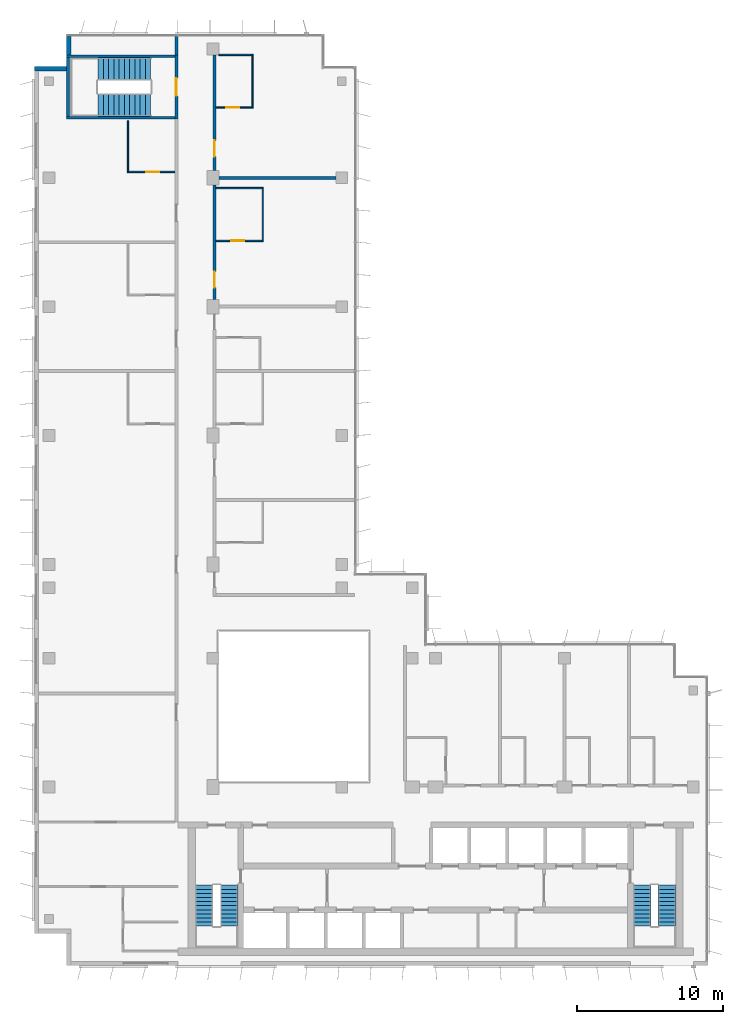
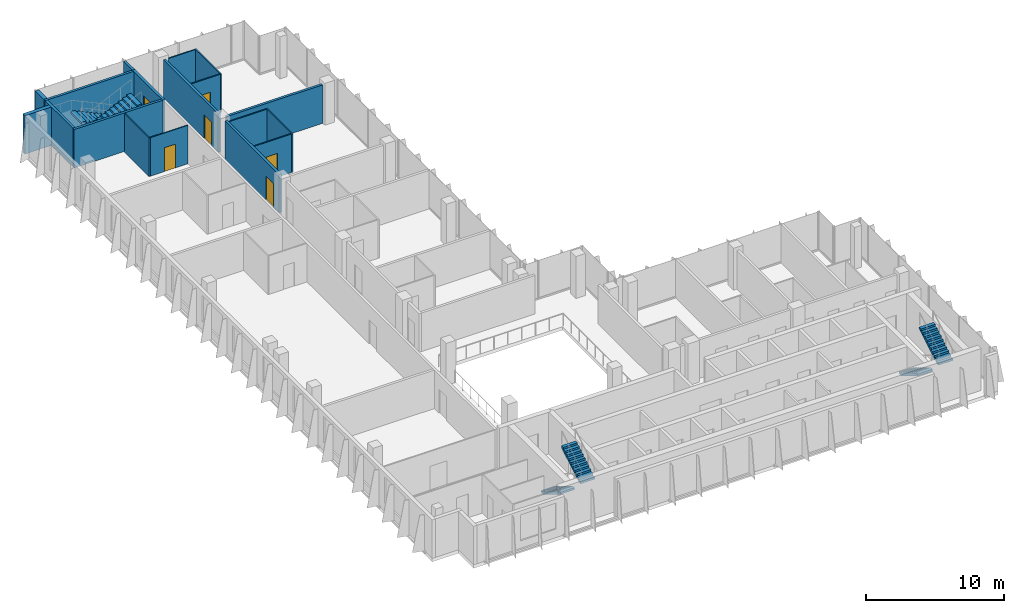
# One storey, part 12 of 15: 18 walls, 6 doors, 6 stair flights, 6 openings, 3 elements without a shape of their own.
"""IFC4 building model written with IfcOpenShell, lengths in metres."""

from ifc_helpers import new_model, si_unit, direction, frame, frame_2d, origin, place, context, subcontext, project, spatial, polyline, rectangle, outline, extrude, material, layer, layer_set, type_object, element, fill, aggregate, save


model = new_model("IFC4")

# Units and contexts
model_context = context("Model", 3, precision=1e-05, world=origin(), true_north=direction((0.0, 1.0)))
body_context = subcontext(model_context, "Body", "Model", "MODEL_VIEW")
ifc_project = project(units=[si_unit("LENGTHUNIT", "METRE"), si_unit("AREAUNIT", "SQUARE_METRE"), si_unit("VOLUMEUNIT", "CUBIC_METRE"), si_unit("PLANEANGLEUNIT", "RADIAN"), si_unit("MASSUNIT", "GRAM", prefix="KILO")], contexts=[model_context])

# Site, building, storey
site_placement = place(None, origin())
site = spatial("IfcSite", under=ifc_project, at=site_placement, CompositionType="ELEMENT")
building_placement = place(site_placement, origin())
building = spatial("IfcBuilding", under=site, at=building_placement, Name="Kemantara Hotel Tower", CompositionType="ELEMENT")
storey_placement = place(building_placement, frame((0.0, 0.0, 301.800048828125)))
storey = spatial("IfcBuildingStorey", under=building, at=storey_placement, Name="L76", CompositionType="ELEMENT", Elevation=301.800048828125)

# Walls
ifc_material_1 = material(Name="Bronze anodised aluminium cladding on insulated steel stud wall", Category="steel")
ifc_layer_1 = layer(ifc_material_1, 0.300048828125)
ifc_layer_set_1 = layer_set([ifc_layer_1], Name="Bronze anodised aluminium cladding on insulated steel stud wall")
wall_type_1 = type_object("IfcWallType", Name="BRONZE METAL-CLAD EXTERNAL WALL 300", PredefinedType="STANDARD", material=ifc_layer_set_1)
wall_1_placement = place(storey_placement, frame((2.35009765625, 63.449951171875, 0.0), z_axis=(0.0, 0.0, 1.0), x_axis=(0.0, -1.0, 0.0)))
element("IfcWall", 1, at=wall_1_placement, inside=storey, type_object=wall_type_1, Name="EXTERNAL WALL L76 T4-R03", PredefinedType="STANDARD", context=body_context, shape_type="SweptSolid", body=[
    extrude(rectangle(XDim=1.25, YDim=0.300048828125, at=frame_2d((0.625, 0.0))), origin(), (0.0, 0.0, 1.0), 3.39990234375),
])
wall_2_placement = place(storey_placement, frame((2.199951171875, 61.25, 0.0), z_axis=(0.0, 0.0, 1.0), x_axis=(-1.0, 0.0, 0.0)))
element("IfcWall", 2, at=wall_2_placement, inside=storey, type_object=wall_type_1, Name="EXTERNAL WALL L76 T4-R04", PredefinedType="STANDARD", context=body_context, shape_type="SweptSolid", body=[
    extrude(rectangle(XDim=2.199951171875, YDim=0.300048828125, at=frame_2d((1.10009765625, 0.0))), origin(), (0.0, 0.0, 1.0), 3.39990234375),
])
ifc_material_2 = material(Name="Gypsum board partition, steel studs and mineral wool, 200 mm", Category="steel")
ifc_layer_2 = layer(ifc_material_2, 0.199951171875)
ifc_layer_set_2 = layer_set([ifc_layer_2], Name="Gypsum board partition, steel studs and mineral wool, 200 mm")
wall_type_2 = type_object("IfcWallType", Name="CORRIDOR WALL 200", PredefinedType="PARTITIONING", material=ifc_layer_set_2)
wall_3_placement = place(storey_placement, frame((9.699951171875, 62.199951171875, 0.0), z_axis=(0.0, 0.0, 1.0), x_axis=(0.0, 1.0, 0.0)))
element("IfcWall", 3, at=wall_3_placement, inside=storey, type_object=wall_type_2, Name="CORRIDOR WALL 200 009", PredefinedType="PARTITIONING", context=body_context, shape_type="SweptSolid", body=[
    extrude(rectangle(XDim=1.280029296875, YDim=0.199951171875, at=frame_2d((0.64013671875, 0.0))), origin(), (0.0, 0.0, 1.0), 3.39990234375),
])

# Wall, opening, door
wall_4_placement = place(storey_placement, frame((12.300048828125, 53.2998046875, 0.0), z_axis=(0.0, 0.0, 1.0), x_axis=(0.0, -1.0, 0.0)))
wall_4 = element("IfcWall", 4, at=wall_4_placement, inside=storey, type_object=wall_type_2, Name="CORRIDOR WALL 200 017", PredefinedType="PARTITIONING", context=body_context, shape_type="SweptSolid", body=[
    extrude(rectangle(XDim=7.7998046875, YDim=0.199951171875, at=frame_2d((3.89990234375, 0.0))), origin(), (0.0, 0.0, 1.0), 3.39990234375),
])
opening_1_placement = place(wall_4_placement, frame((5.89990234375, 0.0, 0.0)))
opening_1 = element("IfcOpeningElement", 5, at=opening_1_placement, cuts=wall_4, Name="Opening F37-026", PredefinedType="OPENING", context=body_context, shape_type="SweptSolid", body=[
    extrude(rectangle(XDim=1.10009765625, YDim=2.10009765625, at=frame_2d((0.550048828125, 1.050048828125))), frame((0.0, 0.10986328125, 0.0), z_axis=(0.0, -1.0, 0.0), x_axis=(1.0, 0.0, 0.0)), (0.0, 0.0, 1.0), 0.219970703125),
])
ifc_material_3 = material(Name="Hardwood veneer door leaf with steel frame", Category="steel")
door_type_1 = type_object("IfcDoorType", Name="SUITE ENTRANCE DOOR 1100 X 2100 FD30S", OperationType="NOTDEFINED", PredefinedType="DOOR", material=ifc_material_3)
door_1_placement = place(opening_1_placement, origin())
door_1 = element("IfcDoor", 6, at=door_1_placement, inside=storey, type_object=door_type_1, Name="SUITE ENTRANCE DOOR F37-026", OperationType="SINGLE_SWING_RIGHT", OverallHeight=2.10009765625, OverallWidth=1.10009765625, PredefinedType="DOOR", context=body_context, shape_type="SweptSolid", body=[
    extrude(rectangle(XDim=1.10009765625, YDim=2.10009765625, at=frame_2d((0.550048828125, 1.050048828125))), frame((0.0, 0.02490234375, 0.0), z_axis=(0.0, -1.0, 0.0), x_axis=(1.0, 0.0, 0.0)), (0.0, 0.0, 1.0), 0.050048828125),
])
fill(opening_1, door_1)

wall_5_placement = place(storey_placement, frame((12.300048828125, 62.199951171875, 0.0), z_axis=(0.0, 0.0, 1.0), x_axis=(0.0, -1.0, 0.0)))
wall_5 = element("IfcWall", 7, at=wall_5_placement, inside=storey, type_object=wall_type_2, Name="CORRIDOR WALL 200 018", PredefinedType="PARTITIONING", context=body_context, shape_type="SweptSolid", body=[
    extrude(rectangle(XDim=7.89990234375, YDim=0.199951171875, at=frame_2d((3.949951171875, 0.0))), origin(), (0.0, 0.0, 1.0), 3.39990234375),
])
opening_2_placement = place(wall_5_placement, frame((5.849853515625, 0.0, 0.0)))
opening_2 = element("IfcOpeningElement", 8, at=opening_2_placement, cuts=wall_5, Name="Opening F37-028", PredefinedType="OPENING", context=body_context, shape_type="SweptSolid", body=[
    extrude(rectangle(XDim=1.10009765625, YDim=2.10009765625, at=frame_2d((0.550048828125, 1.050048828125))), frame((0.0, 0.10986328125, 0.0), z_axis=(0.0, -1.0, 0.0), x_axis=(1.0, 0.0, 0.0)), (0.0, 0.0, 1.0), 0.219970703125),
])
door_2_placement = place(opening_2_placement, origin())
door_2 = element("IfcDoor", 9, at=door_2_placement, inside=storey, type_object=door_type_1, Name="SUITE ENTRANCE DOOR F37-028", OperationType="SINGLE_SWING_RIGHT", OverallHeight=2.10009765625, OverallWidth=1.10009765625, PredefinedType="DOOR", context=body_context, shape_type="SweptSolid", body=[
    extrude(rectangle(XDim=1.10009765625, YDim=2.10009765625, at=frame_2d((0.550048828125, 1.050048828125))), frame((0.0, 0.02490234375, 0.0), z_axis=(0.0, -1.0, 0.0), x_axis=(1.0, 0.0, 0.0)), (0.0, 0.0, 1.0), 0.050048828125),
])
fill(opening_2, door_2)

ifc_material_4 = material(Name="Concrete fc 40 MPa", Category="concrete")
ifc_layer_3 = layer(ifc_material_4, 0.199951171875)
ifc_layer_set_3 = layer_set([ifc_layer_3], Name="Concrete fc 40 MPa")
wall_type_3 = type_object("IfcWallType", Name="Concrete stair wall 200 mm", PredefinedType="SHEAR", material=ifc_layer_set_3)
wall_6_placement = place(storey_placement, frame((9.699951171875, 57.800048828125, 0.0), z_axis=(0.0, 0.0, 1.0), x_axis=(0.0, 1.0, 0.0)))
wall_6 = element("IfcWall", 10, at=wall_6_placement, inside=storey, type_object=wall_type_3, Name="Stair ST4 enclosure wall with door", PredefinedType="SHEAR", context=body_context, shape_type="SweptSolid", body=[
    extrude(rectangle(XDim=4.39990234375, YDim=0.199951171875, at=frame_2d((2.199951171875, 0.0))), origin(), (0.0, 0.0, 1.0), 3.39990234375),
])
opening_3_placement = place(wall_6_placement, frame((1.60009765625, 0.0, 0.0)))
opening_3 = element("IfcOpeningElement", 11, at=opening_3_placement, cuts=wall_6, Name="Opening ST4-C", PredefinedType="OPENING", context=body_context, shape_type="SweptSolid", body=[
    extrude(rectangle(XDim=1.199951171875, YDim=2.10009765625, at=frame_2d((0.60009765625, 1.050048828125))), frame((0.0, 0.10986328125, 0.0), z_axis=(0.0, -1.0, 0.0), x_axis=(1.0, 0.0, 0.0)), (0.0, 0.0, 1.0), 0.219970703125),
])
ifc_material_5 = material(Name="Steel fire door", Category="steel")
door_type_2 = type_object("IfcDoorType", Name="Fire door FD90 1200 x 2100", OperationType="NOTDEFINED", PredefinedType="DOOR", material=ifc_material_5)
door_3_placement = place(opening_3_placement, origin())
door_3 = element("IfcDoor", 12, at=door_3_placement, inside=storey, type_object=door_type_2, Name="Stair ST4 door", OperationType="SINGLE_SWING_RIGHT", OverallHeight=2.10009765625, OverallWidth=1.199951171875, PredefinedType="DOOR", context=body_context, shape_type="SweptSolid", body=[
    extrude(rectangle(XDim=1.199951171875, YDim=2.10009765625, at=frame_2d((0.60009765625, 1.050048828125))), frame((0.0, 0.02490234375, 0.0), z_axis=(0.0, -1.0, 0.0), x_axis=(1.0, 0.0, 0.0)), (0.0, 0.0, 1.0), 0.050048828125),
])
fill(opening_3, door_3)

# Walls
for number, where, z_axis, x_axis, name in (
    (13, (2.199951171875, 62.10009765625, 0.0), (0.0, 0.0, 1.0), (1.0, 0.0, 0.0), "Stair ST4 enclosure wall N"),
    (14, (2.199951171875, 57.89990234375, 0.0), (0.0, 0.0, 1.0), (1.0, 0.0, 0.0), "Stair ST4 enclosure wall S"),
):
    element("IfcWall", number, at=place(storey_placement, frame(where, z_axis=z_axis, x_axis=x_axis)), inside=storey, type_object=wall_type_3, Name=name, PredefinedType="SHEAR", context=body_context, shape_type="SweptSolid", body=[
        extrude(rectangle(XDim=7.400146484375, YDim=0.199951171875, at=frame_2d((3.7001953125, 0.0))), origin(), (0.0, 0.0, 1.0), 3.39990234375),
    ])
wall_7_placement = place(storey_placement, frame((2.300048828125, 58.0, 0.0), z_axis=(0.0, 0.0, 1.0), x_axis=(0.0, 1.0, 0.0)))
element("IfcWall", 15, at=wall_7_placement, inside=storey, type_object=wall_type_3, Name="Stair ST4 enclosure wall W", PredefinedType="SHEAR", context=body_context, shape_type="SweptSolid", body=[
    extrude(rectangle(XDim=4.0, YDim=0.199951171875, at=frame_2d((2.0, 0.0))), origin(), (0.0, 0.0, 1.0), 3.39990234375),
])
ifc_layer_4 = layer(ifc_material_2, 0.199951171875)
ifc_layer_set_4 = layer_set([ifc_layer_4], Name="Gypsum board partition, steel studs and mineral wool, 200 mm")
wall_type_4 = type_object("IfcWallType", Name="GUEST ROOM PARTY WALL 200", PredefinedType="PARTITIONING", material=ifc_layer_set_4)
wall_8_placement = place(storey_placement, frame((12.60009765625, 53.800048828125, 0.0), z_axis=(0.0, 0.0, 1.0), x_axis=(1.0, 0.0, 0.0)))
element("IfcWall", 16, at=wall_8_placement, inside=storey, type_object=wall_type_4, Name="GUEST ROOM PARTY WALL 200 022", PredefinedType="PARTITIONING", context=body_context, shape_type="SweptSolid", body=[
    extrude(rectangle(XDim=7.999755859375, YDim=0.199951171875, at=frame_2d((4.0, 0.0))), origin(), (0.0, 0.0, 1.0), 3.39990234375),
])
ifc_material_6 = material(Name="Gypsum board partition on steel studs, 100 mm", Category="steel")
ifc_layer_5 = layer(ifc_material_6, 0.10009765625)
ifc_layer_set_5 = layer_set([ifc_layer_5], Name="Gypsum board partition on steel studs, 100 mm")
wall_type_5 = type_object("IfcWallType", Name="ROOM PARTITION 100", PredefinedType="PARTITIONING", material=ifc_layer_set_5)
wall_9_placement = place(storey_placement, frame((6.39990234375, 54.14990234375, 0.0), z_axis=(0.0, 0.0, 1.0), x_axis=(0.0, 1.0, 0.0)))
element("IfcWall", 17, at=wall_9_placement, inside=storey, type_object=wall_type_5, Name="ROOM PARTITION 100 038", PredefinedType="PARTITIONING", context=body_context, shape_type="SweptSolid", body=[
    extrude(rectangle(XDim=3.550048828125, YDim=0.10009765625, at=frame_2d((1.77490234375, 0.0))), origin(), (0.0, 0.0, 1.0), 3.39990234375),
])

# Wall, opening, door
wall_10_placement = place(storey_placement, frame((6.449951171875, 54.199951171875, 0.0), z_axis=(0.0, 0.0, 1.0), x_axis=(1.0, 0.0, 0.0)))
wall_10 = element("IfcWall", 18, at=wall_10_placement, inside=storey, type_object=wall_type_5, Name="ROOM PARTITION 100 042", PredefinedType="PARTITIONING", context=body_context, shape_type="SweptSolid", body=[
    extrude(rectangle(XDim=3.150146484375, YDim=0.10009765625, at=frame_2d((1.5751953125, 0.0))), origin(), (0.0, 0.0, 1.0), 3.39990234375),
])
opening_4_placement = place(wall_10_placement, frame((1.199951171875, 0.0, 0.0)))
opening_4 = element("IfcOpeningElement", 19, at=opening_4_placement, cuts=wall_10, Name="Opening F37-019", PredefinedType="OPENING", context=body_context, shape_type="SweptSolid", body=[
    extrude(rectangle(XDim=0.89990234375, YDim=2.10009765625, at=frame_2d((0.449951171875, 1.050048828125))), frame((0.0, 0.06005859375, 0.0), z_axis=(0.0, -1.0, 0.0), x_axis=(1.0, 0.0, 0.0)), (0.0, 0.0, 1.0), 0.1201171875),
])
door_type_3 = type_object("IfcDoorType", Name="BATHROOM DOOR 900 X 2100", OperationType="NOTDEFINED", PredefinedType="DOOR", material=ifc_material_3)
door_4_placement = place(opening_4_placement, origin())
door_4 = element("IfcDoor", 20, at=door_4_placement, inside=storey, type_object=door_type_3, Name="BATHROOM DOOR F37-019", OperationType="SINGLE_SWING_RIGHT", OverallHeight=2.10009765625, OverallWidth=0.89990234375, PredefinedType="DOOR", context=body_context, shape_type="SweptSolid", body=[
    extrude(rectangle(XDim=0.89990234375, YDim=2.10009765625, at=frame_2d((0.449951171875, 1.050048828125))), frame((0.0, 0.02490234375, 0.0), z_axis=(0.0, -1.0, 0.0), x_axis=(1.0, 0.0, 0.0)), (0.0, 0.0, 1.0), 0.050048828125),
])
fill(opening_4, door_4)

# Wall
wall_11_placement = place(storey_placement, frame((15.60009765625, 49.449951171875, 0.0), z_axis=(0.0, 0.0, 1.0), x_axis=(0.0, 1.0, 0.0)))
element("IfcWall", 21, at=wall_11_placement, inside=storey, type_object=wall_type_5, Name="ROOM PARTITION 100 045", PredefinedType="PARTITIONING", context=body_context, shape_type="SweptSolid", body=[
    extrude(rectangle(XDim=3.699951171875, YDim=0.10009765625, at=frame_2d((1.85009765625, 0.0))), origin(), (0.0, 0.0, 1.0), 3.39990234375),
])

# Wall, opening, door
wall_12_placement = place(storey_placement, frame((12.39990234375, 49.5, 0.0), z_axis=(0.0, 0.0, 1.0), x_axis=(1.0, 0.0, 0.0)))
wall_12 = element("IfcWall", 22, at=wall_12_placement, inside=storey, type_object=wall_type_5, Name="ROOM PARTITION 100 049", PredefinedType="PARTITIONING", context=body_context, shape_type="SweptSolid", body=[
    extrude(rectangle(XDim=3.150146484375, YDim=0.10009765625, at=frame_2d((1.5751953125, 0.0))), origin(), (0.0, 0.0, 1.0), 3.39990234375),
])
opening_5_placement = place(wall_12_placement, frame((1.050048828125, 0.0, 0.0)))
opening_5 = element("IfcOpeningElement", 23, at=opening_5_placement, cuts=wall_12, Name="Opening F37-027", PredefinedType="OPENING", context=body_context, shape_type="SweptSolid", body=[
    extrude(rectangle(XDim=0.89990234375, YDim=2.10009765625, at=frame_2d((0.449951171875, 1.050048828125))), frame((0.0, 0.06005859375, 0.0), z_axis=(0.0, -1.0, 0.0), x_axis=(1.0, 0.0, 0.0)), (0.0, 0.0, 1.0), 0.1201171875),
])
door_5_placement = place(opening_5_placement, origin())
door_5 = element("IfcDoor", 24, at=door_5_placement, inside=storey, type_object=door_type_3, Name="BATHROOM DOOR F37-027", OperationType="SINGLE_SWING_LEFT", OverallHeight=2.10009765625, OverallWidth=0.89990234375, PredefinedType="DOOR", context=body_context, shape_type="SweptSolid", body=[
    extrude(rectangle(XDim=0.89990234375, YDim=2.10009765625, at=frame_2d((0.449951171875, 1.050048828125))), frame((0.0, 0.02490234375, 0.0), z_axis=(0.0, -1.0, 0.0), x_axis=(1.0, 0.0, 0.0)), (0.0, 0.0, 1.0), 0.050048828125),
])
fill(opening_5, door_5)

# Walls
wall_13_placement = place(storey_placement, frame((12.39990234375, 53.10009765625, 0.0), z_axis=(0.0, 0.0, 1.0), x_axis=(1.0, 0.0, 0.0)))
element("IfcWall", 25, at=wall_13_placement, inside=storey, type_object=wall_type_5, Name="ROOM PARTITION 100 050", PredefinedType="PARTITIONING", context=body_context, shape_type="SweptSolid", body=[
    extrude(rectangle(XDim=3.150146484375, YDim=0.10009765625, at=frame_2d((1.5751953125, 0.0))), origin(), (0.0, 0.0, 1.0), 3.39990234375),
])
wall_14_placement = place(storey_placement, frame((14.89990234375, 58.550048828125, 0.0), z_axis=(0.0, 0.0, 1.0), x_axis=(0.0, 1.0, 0.0)))
element("IfcWall", 26, at=wall_14_placement, inside=storey, type_object=wall_type_5, Name="ROOM PARTITION 100 051", PredefinedType="PARTITIONING", context=body_context, shape_type="SweptSolid", body=[
    extrude(rectangle(XDim=3.699951171875, YDim=0.10009765625, at=frame_2d((1.85009765625, 0.0))), origin(), (0.0, 0.0, 1.0), 3.39990234375),
])

# Wall, opening, door
wall_15_placement = place(storey_placement, frame((12.39990234375, 58.60009765625, 0.0), z_axis=(0.0, 0.0, 1.0), x_axis=(1.0, 0.0, 0.0)))
wall_15 = element("IfcWall", 27, at=wall_15_placement, inside=storey, type_object=wall_type_5, Name="ROOM PARTITION 100 052", PredefinedType="PARTITIONING", context=body_context, shape_type="SweptSolid", body=[
    extrude(rectangle(XDim=2.4501953125, YDim=0.10009765625, at=frame_2d((1.22509765625, 0.0))), origin(), (0.0, 0.0, 1.0), 3.39990234375),
])
opening_6_placement = place(wall_15_placement, frame((0.699951171875, 0.0, 0.0)))
opening_6 = element("IfcOpeningElement", 28, at=opening_6_placement, cuts=wall_15, Name="Opening F37-029", PredefinedType="OPENING", context=body_context, shape_type="SweptSolid", body=[
    extrude(rectangle(XDim=0.89990234375, YDim=2.10009765625, at=frame_2d((0.449951171875, 1.050048828125))), frame((0.0, 0.06005859375, 0.0), z_axis=(0.0, -1.0, 0.0), x_axis=(1.0, 0.0, 0.0)), (0.0, 0.0, 1.0), 0.1201171875),
])
door_6_placement = place(opening_6_placement, origin())
door_6 = element("IfcDoor", 29, at=door_6_placement, inside=storey, type_object=door_type_3, Name="BATHROOM DOOR F37-029", OperationType="SINGLE_SWING_LEFT", OverallHeight=2.10009765625, OverallWidth=0.89990234375, PredefinedType="DOOR", context=body_context, shape_type="SweptSolid", body=[
    extrude(rectangle(XDim=0.89990234375, YDim=2.10009765625, at=frame_2d((0.449951171875, 1.050048828125))), frame((0.0, 0.02490234375, 0.0), z_axis=(0.0, -1.0, 0.0), x_axis=(1.0, 0.0, 0.0)), (0.0, 0.0, 1.0), 0.050048828125),
])
fill(opening_6, door_6)

# Wall
wall_16_placement = place(storey_placement, frame((12.60009765625, 62.199951171875, 0.0), z_axis=(0.0, 0.0, 1.0), x_axis=(1.0, 0.0, 0.0)))
element("IfcWall", 30, at=wall_16_placement, inside=storey, type_object=wall_type_5, Name="ROOM PARTITION 100 053", PredefinedType="PARTITIONING", context=body_context, shape_type="SweptSolid", body=[
    extrude(rectangle(XDim=2.25, YDim=0.10009765625, at=frame_2d((1.125, 0.0))), origin(), (0.0, 0.0, 1.0), 3.39990234375),
])

# Stair, stair flights
stair_type_1 = type_object("IfcStairType", Name="Stair 1200 wide 22 risers of 168 x 280 mm", PredefinedType="HALF_TURN_STAIR", material=ifc_material_4)
stair_1_placement = place(storey_placement, origin())
stair_1 = element("IfcStair", 31, at=stair_1_placement, inside=storey, type_object=stair_type_1, Name="L76 Exit stair ST1", PredefinedType="HALF_TURN_STAIR")
stair_flight_type_1 = type_object("IfcStairFlightType", Name="Stair flight 1200 wide 168 x 280 mm", PredefinedType="STRAIGHT", material=ifc_material_4)
stair_flight_1_placement = place(storey_placement, frame((11.60009765625, 5.5, 0.0), z_axis=(0.0, 0.0, 1.0), x_axis=(0.0, -1.0, 0.0)))
stair_flight_1 = element("IfcStairFlight", 32, at=stair_flight_1_placement, type_object=stair_flight_type_1, Name="ST1 flight 1", NumberOfRisers=11, NumberOfTreads=10, PredefinedType="STRAIGHT", RiserHeight=0.168181818, TreadLength=0.28, context=body_context, shape_type="SweptSolid", body=[
    extrude(outline(polyline([(0.0, 0.0), (0.0, 0.168212890625), (0.280029296875, 0.168212890625), (0.280029296875, 0.33642578125), (0.56005859375, 0.33642578125), (0.56005859375, 0.504638671875), (0.840087890625, 0.504638671875), (0.840087890625, 0.672607421875), (1.1201171875, 0.672607421875), (1.1201171875, 0.8408203125), (1.39990234375, 0.8408203125), (1.39990234375, 1.009033203125), (1.679931640625, 1.009033203125), (1.679931640625, 1.17724609375), (1.9599609375, 1.17724609375), (1.9599609375, 1.345458984375), (2.239990234375, 1.345458984375), (2.239990234375, 1.513671875), (2.52001953125, 1.513671875), (2.52001953125, 1.681884765625), (2.800048828125, 1.681884765625), (2.800048828125, 1.85009765625), (2.800048828125, 1.5068359375), (0.291015625, 0.0), (0.0, 0.0)])), frame((0.0, 0.60009765625, 0.0), z_axis=(0.0, -1.0, 0.0), x_axis=(1.0, 0.0, 0.0)), (0.0, 0.0, 1.0), 1.199951171875),
])
stair_flight_2_placement = place(storey_placement, frame((13.300048828125, 2.699951171875, 1.849853515625), z_axis=(0.0, 0.0, 1.0), x_axis=(0.0, 1.0, 0.0)))
stair_flight_2 = element("IfcStairFlight", 33, at=stair_flight_2_placement, type_object=stair_flight_type_1, Name="ST1 flight 2", NumberOfRisers=11, NumberOfTreads=10, PredefinedType="STRAIGHT", RiserHeight=0.168181818, TreadLength=0.28, context=body_context, shape_type="SweptSolid", body=[
    extrude(outline(polyline([(0.0, 0.0), (0.0, 0.168212890625), (0.280029296875, 0.168212890625), (0.280029296875, 0.33642578125), (0.56005859375, 0.33642578125), (0.56005859375, 0.504638671875), (0.840087890625, 0.504638671875), (0.840087890625, 0.672607421875), (1.1201171875, 0.672607421875), (1.1201171875, 0.8408203125), (1.39990234375, 0.8408203125), (1.39990234375, 1.009033203125), (1.679931640625, 1.009033203125), (1.679931640625, 1.17724609375), (1.9599609375, 1.17724609375), (1.9599609375, 1.345458984375), (2.239990234375, 1.345458984375), (2.239990234375, 1.513671875), (2.52001953125, 1.513671875), (2.52001953125, 1.681884765625), (2.800048828125, 1.681884765625), (2.800048828125, 1.85009765625), (2.800048828125, 1.5068359375), (0.291015625, 0.0), (0.0, 0.0)])), frame((0.0, 0.60009765625, 0.0), z_axis=(0.0, -1.0, 0.0), x_axis=(1.0, 0.0, 0.0)), (0.0, 0.0, 1.0), 1.199951171875),
])
aggregate(stair_1, [stair_flight_1, stair_flight_2])

stair_2_placement = place(storey_placement, origin())
stair_2 = element("IfcStair", 34, at=stair_2_placement, inside=storey, type_object=stair_type_1, Name="L76 Exit stair ST2", PredefinedType="HALF_TURN_STAIR")
stair_flight_3_placement = place(storey_placement, frame((41.5, 5.5, 0.0), z_axis=(0.0, 0.0, 1.0), x_axis=(0.0, -1.0, 0.0)))
stair_flight_3 = element("IfcStairFlight", 35, at=stair_flight_3_placement, type_object=stair_flight_type_1, Name="ST2 flight 1", NumberOfRisers=11, NumberOfTreads=10, PredefinedType="STRAIGHT", RiserHeight=0.168181818, TreadLength=0.28, context=body_context, shape_type="SweptSolid", body=[
    extrude(outline(polyline([(0.0, 0.0), (0.0, 0.168212890625), (0.280029296875, 0.168212890625), (0.280029296875, 0.33642578125), (0.56005859375, 0.33642578125), (0.56005859375, 0.504638671875), (0.840087890625, 0.504638671875), (0.840087890625, 0.672607421875), (1.1201171875, 0.672607421875), (1.1201171875, 0.8408203125), (1.39990234375, 0.8408203125), (1.39990234375, 1.009033203125), (1.679931640625, 1.009033203125), (1.679931640625, 1.17724609375), (1.9599609375, 1.17724609375), (1.9599609375, 1.345458984375), (2.239990234375, 1.345458984375), (2.239990234375, 1.513671875), (2.52001953125, 1.513671875), (2.52001953125, 1.681884765625), (2.800048828125, 1.681884765625), (2.800048828125, 1.85009765625), (2.800048828125, 1.5068359375), (0.291015625, 0.0), (0.0, 0.0)])), frame((0.0, 0.60009765625, 0.0), z_axis=(0.0, -1.0, 0.0), x_axis=(1.0, 0.0, 0.0)), (0.0, 0.0, 1.0), 1.199951171875),
])
stair_flight_4_placement = place(storey_placement, frame((43.199951171875, 2.699951171875, 1.849853515625), z_axis=(0.0, 0.0, 1.0), x_axis=(0.0, 1.0, 0.0)))
stair_flight_4 = element("IfcStairFlight", 36, at=stair_flight_4_placement, type_object=stair_flight_type_1, Name="ST2 flight 2", NumberOfRisers=11, NumberOfTreads=10, PredefinedType="STRAIGHT", RiserHeight=0.168181818, TreadLength=0.28, context=body_context, shape_type="SweptSolid", body=[
    extrude(outline(polyline([(0.0, 0.0), (0.0, 0.168212890625), (0.280029296875, 0.168212890625), (0.280029296875, 0.33642578125), (0.56005859375, 0.33642578125), (0.56005859375, 0.504638671875), (0.840087890625, 0.504638671875), (0.840087890625, 0.672607421875), (1.1201171875, 0.672607421875), (1.1201171875, 0.8408203125), (1.39990234375, 0.8408203125), (1.39990234375, 1.009033203125), (1.679931640625, 1.009033203125), (1.679931640625, 1.17724609375), (1.9599609375, 1.17724609375), (1.9599609375, 1.345458984375), (2.239990234375, 1.345458984375), (2.239990234375, 1.513671875), (2.52001953125, 1.513671875), (2.52001953125, 1.681884765625), (2.800048828125, 1.681884765625), (2.800048828125, 1.85009765625), (2.800048828125, 1.5068359375), (0.291015625, 0.0), (0.0, 0.0)])), frame((0.0, 0.60009765625, 0.0), z_axis=(0.0, -1.0, 0.0), x_axis=(1.0, 0.0, 0.0)), (0.0, 0.0, 1.0), 1.199951171875),
])
aggregate(stair_2, [stair_flight_3, stair_flight_4])

stair_type_2 = type_object("IfcStairType", Name="Stair 1550 wide 22 risers of 168 x 360 mm", PredefinedType="HALF_TURN_STAIR", material=ifc_material_4)
stair_3_placement = place(storey_placement, origin())
stair_3 = element("IfcStair", 37, at=stair_3_placement, inside=storey, type_object=stair_type_2, Name="L76 Exit stair ST4", PredefinedType="HALF_TURN_STAIR")
stair_flight_type_2 = type_object("IfcStairFlightType", Name="Stair flight 1550 wide 168 x 360 mm", PredefinedType="STRAIGHT", material=ifc_material_4)
stair_flight_5_placement = place(storey_placement, frame((7.949951171875, 61.22509765625, 0.0), z_axis=(0.0, 0.0, 1.0), x_axis=(-1.0, 0.0, 0.0)))
stair_flight_5 = element("IfcStairFlight", 38, at=stair_flight_5_placement, type_object=stair_flight_type_2, Name="ST4 flight 1", NumberOfRisers=11, NumberOfTreads=10, PredefinedType="STRAIGHT", RiserHeight=0.168181818, TreadLength=0.36, context=body_context, shape_type="SweptSolid", body=[
    extrude(outline(polyline([(0.0, 0.0), (0.0, 0.168212890625), (0.360107421875, 0.168212890625), (0.360107421875, 0.33642578125), (0.719970703125, 0.33642578125), (0.719970703125, 0.504638671875), (1.080078125, 0.504638671875), (1.080078125, 0.672607421875), (1.43994140625, 0.672607421875), (1.43994140625, 0.8408203125), (1.800048828125, 0.8408203125), (1.800048828125, 1.009033203125), (2.159912109375, 1.009033203125), (2.159912109375, 1.17724609375), (2.52001953125, 1.17724609375), (2.52001953125, 1.345458984375), (2.8798828125, 1.345458984375), (2.8798828125, 1.513671875), (3.239990234375, 1.513671875), (3.239990234375, 1.681884765625), (3.60009765625, 1.681884765625), (3.60009765625, 1.85009765625), (3.60009765625, 1.516357421875), (0.354248046875, 0.0), (0.0, 0.0)])), frame((0.0, 0.77490234375, 0.0), z_axis=(0.0, -1.0, 0.0), x_axis=(1.0, 0.0, 0.0)), (0.0, 0.0, 1.0), 1.550048828125),
])
stair_flight_6_placement = place(storey_placement, frame((4.35009765625, 58.77490234375, 1.849853515625), z_axis=(0.0, 0.0, 1.0), x_axis=(1.0, 0.0, 0.0)))
stair_flight_6 = element("IfcStairFlight", 39, at=stair_flight_6_placement, type_object=stair_flight_type_2, Name="ST4 flight 2", NumberOfRisers=11, NumberOfTreads=10, PredefinedType="STRAIGHT", RiserHeight=0.168181818, TreadLength=0.36, context=body_context, shape_type="SweptSolid", body=[
    extrude(outline(polyline([(0.0, 0.0), (0.0, 0.168212890625), (0.360107421875, 0.168212890625), (0.360107421875, 0.33642578125), (0.719970703125, 0.33642578125), (0.719970703125, 0.504638671875), (1.080078125, 0.504638671875), (1.080078125, 0.672607421875), (1.43994140625, 0.672607421875), (1.43994140625, 0.8408203125), (1.800048828125, 0.8408203125), (1.800048828125, 1.009033203125), (2.159912109375, 1.009033203125), (2.159912109375, 1.17724609375), (2.52001953125, 1.17724609375), (2.52001953125, 1.345458984375), (2.8798828125, 1.345458984375), (2.8798828125, 1.513671875), (3.239990234375, 1.513671875), (3.239990234375, 1.681884765625), (3.60009765625, 1.681884765625), (3.60009765625, 1.85009765625), (3.60009765625, 1.516357421875), (0.354248046875, 0.0), (0.0, 0.0)])), frame((0.0, 0.77490234375, 0.0), z_axis=(0.0, -1.0, 0.0), x_axis=(1.0, 0.0, 0.0)), (0.0, 0.0, 1.0), 1.550048828125),
])
aggregate(stair_3, [stair_flight_5, stair_flight_6])

save(model, "model.ifc")
